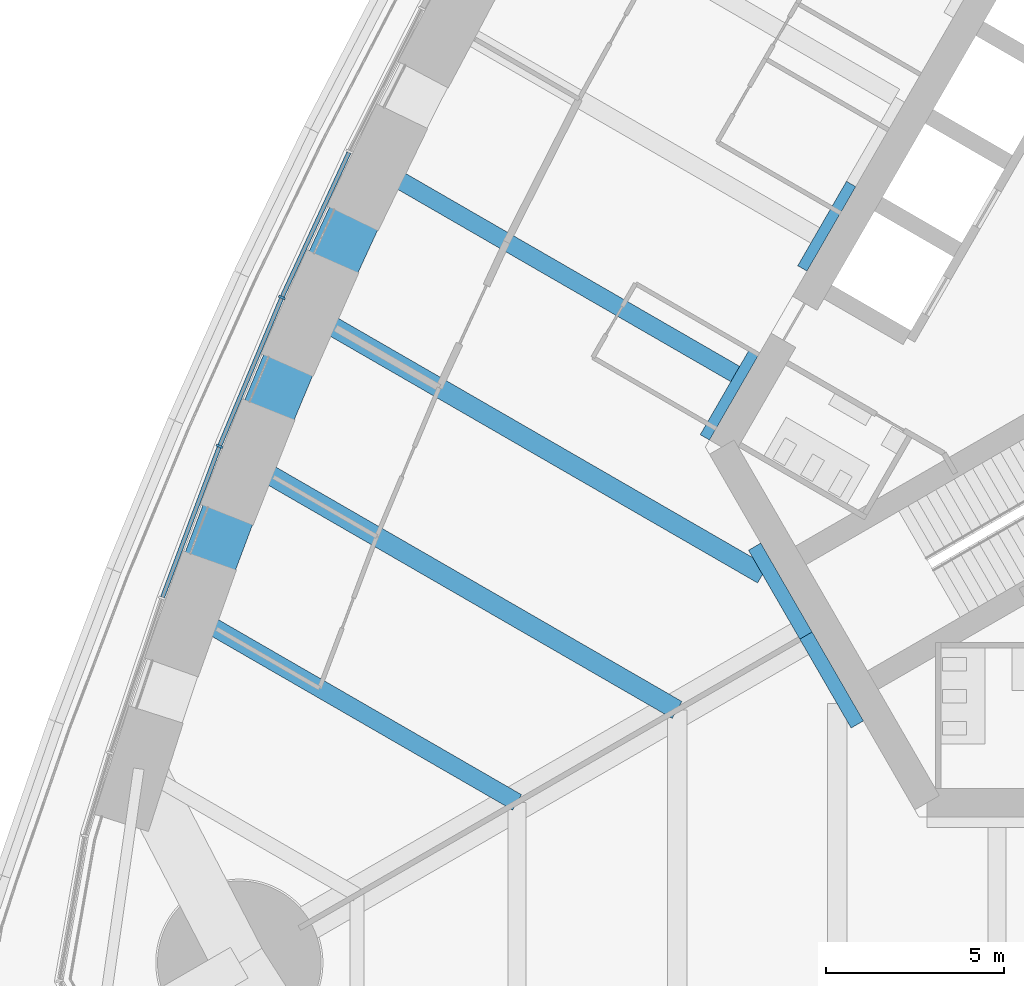
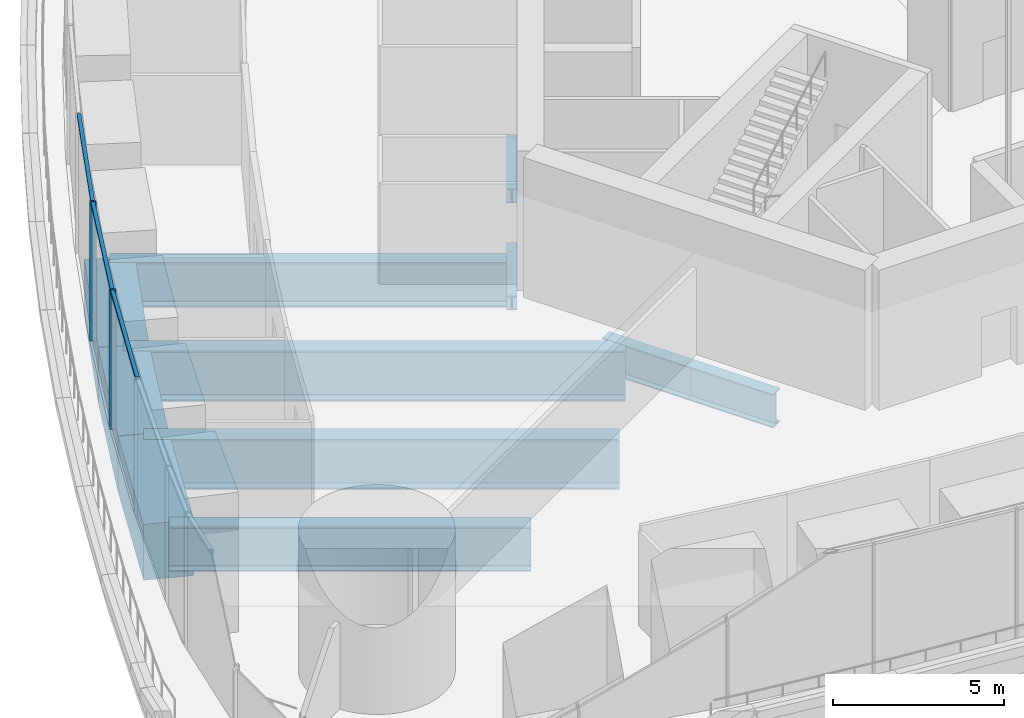
# One storey, part 3 of 33: 11 beams, 5 members, 1 element without a shape of its own.
"""IFC4 building model written with IfcOpenShell, lengths in metres."""

from ifc_helpers import new_model, si_unit, direction, frame, origin, origin_2d, place, context, subcontext, project, spatial, rectangle, i_section, extrude, material, material_profile, profile_set, type_object, element, aggregate, save


model = new_model("IFC4")

# Units and contexts
model_context = context("Model", 3, precision=1e-05, world=origin(), true_north=direction((0.0, 1.0)))
body_context = subcontext(model_context, "Body", "Model", "MODEL_VIEW")
ifc_project = project(units=[si_unit("LENGTHUNIT", "METRE"), si_unit("AREAUNIT", "SQUARE_METRE"), si_unit("VOLUMEUNIT", "CUBIC_METRE"), si_unit("PLANEANGLEUNIT", "RADIAN"), si_unit("MASSUNIT", "GRAM", prefix="KILO")], contexts=[model_context])

# Site, building, storey
site_placement = place(None, origin())
site = spatial("IfcSite", under=ifc_project, at=site_placement, CompositionType="ELEMENT")
building_placement = place(site_placement, origin())
building = spatial("IfcBuilding", under=site, at=building_placement, Name="Trefoil Bronze Tower", CompositionType="ELEMENT")
storey_placement = place(building_placement, frame((0.0, 0.0, 98.10009765625)))
storey = spatial("IfcBuildingStorey", under=building, at=storey_placement, Name="L22", CompositionType="ELEMENT", Elevation=98.10009765625)

# Curtain wall, members
ifc_material_1 = material(Name="Tinted solar-control glass", Category="glass")
curtain_wall_type = type_object("IfcCurtainWallType", Name="Bronze sky lobby curtain wall", PredefinedType="USERDEFINED", material=ifc_material_1)
curtain_wall_placement = place(storey_placement, origin())
curtain_wall = element("IfcCurtainWall", 1, at=curtain_wall_placement, inside=storey, type_object=curtain_wall_type, Name="CW-D L22 F3 run 3", ObjectType="CURTAIN WALL", PredefinedType="USERDEFINED")
ifc_material_2 = material(Name="Bronze-finish aluminium", Category="aluminium")
ifc_material_profile_1 = material_profile(ifc_material_2, rectangle(XDim=0.199951171875, YDim=0.06005859375, at=origin_2d()), Name="CW-D mullion")
ifc_profile_set_1 = profile_set([ifc_material_profile_1], Name="Bronze-finish aluminium")
member_type_1 = type_object("IfcMemberType", Name="Bronze sky lobby curtain wall mullion", PredefinedType="MULLION", material=ifc_profile_set_1)
member_1_placement = place(storey_placement, frame((-29.11376953125, 1.2080078125, 0.0), z_axis=(0.0, 0.0, 1.0), x_axis=(0.915018269914, -0.40341240155, 0.0)))
member_1 = element("IfcMember", 2, at=member_1_placement, type_object=member_type_1, Name="CW-D L22 F3 run 3 mullion 3", PredefinedType="MULLION", context=body_context, shape_type="SweptSolid", body=[
    extrude(rectangle(XDim=0.199951171875, YDim=0.06005859375, at=origin_2d()), origin(), (0.0, 0.0, 1.0), 4.97998046875),
])
member_2_placement = place(storey_placement, frame((-30.86962890625, -2.978759765625, 0.0), z_axis=(0.0, 0.0, 1.0), x_axis=(0.929071242848, -0.369900832269, 0.0)))
member_2 = element("IfcMember", 3, at=member_2_placement, type_object=member_type_1, Name="CW-D L22 F3 run 3 mullion 4", PredefinedType="MULLION", context=body_context, shape_type="SweptSolid", body=[
    extrude(rectangle(XDim=0.199951171875, YDim=0.06005859375, at=origin_2d()), origin(), (0.0, 0.0, 1.0), 4.97998046875),
])
ifc_material_3 = material(Name="Bronze-finish aluminium", Category="aluminium")
ifc_material_profile_2 = material_profile(ifc_material_3, rectangle(XDim=0.1201171875, YDim=0.10009765625, at=origin_2d()), Name="CW-D transom")
ifc_profile_set_2 = profile_set([ifc_material_profile_2], Name="Bronze-finish aluminium")
member_type_2 = type_object("IfcMemberType", Name="Bronze sky lobby curtain wall transom", PredefinedType="USERDEFINED", material=ifc_profile_set_2)
member_3_placement = place(storey_placement, frame((-27.228271484375, 5.282958984375, 4.929931640625), z_axis=(-0.419912273595, -0.907564698787, 0.0), x_axis=(0.907564698787, -0.419912273595, 0.0)))
member_3 = element("IfcMember", 4, at=member_3_placement, type_object=member_type_2, Name="CW-D L22 F3 run 3 transom 2", ObjectType="TRANSOM", PredefinedType="USERDEFINED", context=body_context, shape_type="SweptSolid", body=[
    extrude(rectangle(XDim=0.1201171875, YDim=0.10009765625, at=origin_2d()), origin(), (0.0, 0.0, 1.0), 4.458251953125),
])
member_4_placement = place(storey_placement, frame((-29.1259765625, 1.178466796875, 4.929931640625), z_axis=(-0.386817949175, -0.922156100775, 0.0), x_axis=(0.922156100775, -0.386817949175, 0.0)))
member_4 = element("IfcMember", 5, at=member_4_placement, type_object=member_type_2, Name="CW-D L22 F3 run 3 transom 3", ObjectType="TRANSOM", PredefinedType="USERDEFINED", context=body_context, shape_type="SweptSolid", body=[
    extrude(rectangle(XDim=0.1201171875, YDim=0.10009765625, at=origin_2d()), origin(), (0.0, 0.0, 1.0), 4.47607421875),
])
member_5_placement = place(storey_placement, frame((-30.880859375, -3.008544921875, 4.929931640625), z_axis=(-0.35294793935, -0.935642961876, 0.0), x_axis=(0.935642961876, -0.35294793935, 0.0)))
member_5 = element("IfcMember", 6, at=member_5_placement, type_object=member_type_2, Name="CW-D L22 F3 run 3 transom 4", ObjectType="TRANSOM", PredefinedType="USERDEFINED", context=body_context, shape_type="SweptSolid", body=[
    extrude(rectangle(XDim=0.1201171875, YDim=0.10009765625, at=origin_2d()), origin(), (0.0, 0.0, 1.0), 4.500244140625),
])
aggregate(curtain_wall, [member_1, member_2, member_3, member_4, member_5])

# Beams
ifc_material_4 = material(Name="Steel C355", Category="steel")
ifc_material_profile_3 = material_profile(ifc_material_4, i_section(OverallWidth=0.300048828125, OverallDepth=0.5, WebThickness=0.014404296875, FlangeThickness=0.028076171875, FilletRadius=0.027099609375, at=origin_2d()), Name="HEB 500")
ifc_profile_set_3 = profile_set([ifc_material_profile_3], Name="Steel C355")
beam_type_1 = type_object("IfcBeamType", Name="Core seat beam HEB 500", PredefinedType="BEAM", material=ifc_profile_set_3)
for number, where, z_axis, x_axis, name in (
    (7, (-13.10595703125, 4.39990234375, -0.4501953125), (-0.499969057507, -0.866043267704, 0.0), (0.866043267704, -0.499969057507, 0.0), "Core seat beam F3/+1 L22"),
    (8, (-15.84814453125, -0.35009765625, -0.4501953125), (-0.500035825175, -0.866004719122, 0.0), (0.866004719122, -0.500035825175, 0.0), "Core seat beam F3/+2 L22"),
):
    element("IfcBeam", number, at=place(storey_placement, frame(where, z_axis=z_axis, x_axis=x_axis)), inside=storey, type_object=beam_type_1, Name=name, PredefinedType="BEAM", context=body_context, shape_type="SweptSolid", body=[
        extrude(i_section(OverallWidth=0.300048828125, OverallDepth=0.5, WebThickness=0.014404296875, FlangeThickness=0.028076171875, FilletRadius=0.027099609375, at=origin_2d()), origin(), (0.0, 0.0, 1.0), 2.742431640625),
    ])
ifc_material_5 = material(Name="Steel C355", Category="steel")
ifc_material_profile_4 = material_profile(ifc_material_5, i_section(OverallWidth=0.39990234375, OverallDepth=1.199951171875, WebThickness=0.02001953125, FlangeThickness=0.0400390625, FilletRadius=0.010009765625, at=origin_2d()), Name="WPG 1200")
ifc_profile_set_4 = profile_set([ifc_material_profile_4], Name="Steel C355")
beam_type_2 = type_object("IfcBeamType", Name="Core seat beam WPG 1200", PredefinedType="BEAM", material=ifc_profile_set_4)
for number, where, z_axis, x_axis, name in (
    (9, (-14.3759765625, -8.300048828125, -0.800048828125), (0.499995765644, -0.866027848477, 0.0), (0.866027848477, 0.499995765644, 0.0), "Core seat beam F1/-3 L22"),
    (10, (-15.8193359375, -5.800048828125, -0.800048828125), (0.499995765644, -0.866027848477, 0.0), (0.866027848477, 0.499995765644, 0.0), "Core seat beam F3/+3 L22"),
):
    element("IfcBeam", number, at=place(storey_placement, frame(where, z_axis=z_axis, x_axis=x_axis)), inside=storey, type_object=beam_type_2, Name=name, PredefinedType="BEAM", context=body_context, shape_type="SweptSolid", body=[
        extrude(i_section(OverallWidth=0.39990234375, OverallDepth=1.199951171875, WebThickness=0.02001953125, FlangeThickness=0.0400390625, FilletRadius=0.010009765625, at=origin_2d()), origin(), (0.0, 0.0, 1.0), 2.88671875),
    ])
ifc_material_6 = material(Name="Steel C355", Category="steel")
ifc_material_profile_5 = material_profile(ifc_material_6, i_section(OverallWidth=0.5, OverallDepth=1.60009765625, WebThickness=0.02587890625, FlangeThickness=0.050048828125, FilletRadius=0.011962890625, at=origin_2d()), Name="WPG 1600")
ifc_profile_set_5 = profile_set([ifc_material_profile_5], Name="Steel C355")
beam_type_3 = type_object("IfcBeamType", Name="Floor beam WPG 1600", PredefinedType="BEAM", material=ifc_profile_set_5)
beam_1_placement = place(storey_placement, frame((-26.43017578125, 4.8671875, -1.0), z_axis=(0.866021531335, -0.500006707218, 0.0), x_axis=(0.500006707218, 0.866021531335, 0.0)))
element("IfcBeam", 11, at=beam_1_placement, inside=storey, type_object=beam_type_3, Name="Floor beam F3/+2 L22", PredefinedType="BEAM", context=body_context, shape_type="SweptSolid", body=[
    extrude(i_section(OverallWidth=0.5, OverallDepth=1.60009765625, WebThickness=0.02587890625, FlangeThickness=0.050048828125, FilletRadius=0.011962890625, at=origin_2d()), origin(), (0.0, 0.0, 1.0), 11.622802734375),
])
beam_2_placement = place(storey_placement, frame((-31.681884765625, -7.689208984375, -1.0), z_axis=(0.866021079084, -0.500007490527, 0.0), x_axis=(0.500007490527, 0.866021079084, 0.0)))
element("IfcBeam", 12, at=beam_2_placement, inside=storey, type_object=beam_type_3, Name="Floor beam F3/+5 L22", PredefinedType="BEAM", context=body_context, shape_type="SweptSolid", body=[
    extrude(i_section(OverallWidth=0.5, OverallDepth=1.60009765625, WebThickness=0.02587890625, FlangeThickness=0.050048828125, FilletRadius=0.011962890625, at=origin_2d()), origin(), (0.0, 0.0, 1.0), 10.602294921875),
])
ifc_material_7 = material(Name="Steel C355", Category="steel")
ifc_material_profile_6 = material_profile(ifc_material_7, i_section(OverallWidth=0.550048828125, OverallDepth=1.800048828125, WebThickness=0.029052734375, FlangeThickness=0.054931640625, FilletRadius=0.013916015625, at=origin_2d()), Name="WPG 1800")
ifc_profile_set_6 = profile_set([ifc_material_profile_6], Name="Steel C355")
beam_type_4 = type_object("IfcBeamType", Name="Floor beam WPG 1800", PredefinedType="BEAM", material=ifc_profile_set_6)
beam_3_placement = place(storey_placement, frame((-28.325439453125, 0.76513671875, -1.10009765625), z_axis=(0.866027342682, -0.499996641717, 0.0), x_axis=(0.499996641717, 0.866027342682, 0.0)))
element("IfcBeam", 13, at=beam_3_placement, inside=storey, type_object=beam_type_4, Name="Floor beam F3/+3 L22", PredefinedType="BEAM", context=body_context, shape_type="SweptSolid", body=[
    extrude(i_section(OverallWidth=0.550048828125, OverallDepth=1.800048828125, WebThickness=0.029052734375, FlangeThickness=0.054931640625, FilletRadius=0.013916015625, at=origin_2d()), origin(), (0.0, 0.0, 1.0), 14.69580078125),
])
beam_4_placement = place(storey_placement, frame((-30.07666015625, -3.419921875, -1.10009765625), z_axis=(0.866026983775, -0.499997263366, 0.0), x_axis=(0.499997263366, 0.866026983775, 0.0)))
element("IfcBeam", 14, at=beam_4_placement, inside=storey, type_object=beam_type_4, Name="Floor beam F3/+4 L22", PredefinedType="BEAM", context=body_context, shape_type="SweptSolid", body=[
    extrude(i_section(OverallWidth=0.550048828125, OverallDepth=1.800048828125, WebThickness=0.029052734375, FlangeThickness=0.054931640625, FilletRadius=0.013916015625, at=origin_2d()), origin(), (0.0, 0.0, 1.0), 13.94482421875),
])
ifc_material_8 = material(Name="Concrete B80", Category="concrete")
ifc_material_profile_7 = material_profile(ifc_material_8, rectangle(XDim=1.5, YDim=2.0, at=origin_2d()), Name="RC 1500x2000")
ifc_profile_set_7 = profile_set([ifc_material_profile_7], Name="Concrete B80")
beam_type_5 = type_object("IfcBeamType", Name="Spandrel beam RC 1500x2000", PredefinedType="SPANDREL", material=ifc_profile_set_7)
beam_5_placement = place(storey_placement, frame((-26.43017578125, 4.8671875, -1.2001953125), z_axis=(-0.419424747755, -0.907790108434, 0.0), x_axis=(0.907790108434, -0.419424747755, 0.0)))
element("IfcBeam", 15, at=beam_5_placement, inside=storey, type_object=beam_type_5, Name="Spandrel F3.10 L22", PredefinedType="SPANDREL", context=body_context, shape_type="SweptSolid", body=[
    extrude(rectangle(XDim=1.5, YDim=2.0, at=origin_2d()), origin(), (0.0, 0.0, 1.0), 4.518798828125),
])
beam_6_placement = place(storey_placement, frame((-28.325439453125, 0.76513671875, -1.2001953125), z_axis=(-0.386013490858, -0.922493135408, 0.0), x_axis=(0.922493135408, -0.386013490858, 0.0)))
element("IfcBeam", 16, at=beam_6_placement, inside=storey, type_object=beam_type_5, Name="Spandrel F3.11 L22", PredefinedType="SPANDREL", context=body_context, shape_type="SweptSolid", body=[
    extrude(rectangle(XDim=1.5, YDim=2.0, at=origin_2d()), origin(), (0.0, 0.0, 1.0), 4.53662109375),
])
beam_7_placement = place(storey_placement, frame((-30.07666015625, -3.419921875, -1.2001953125), z_axis=(-0.351938675523, -0.936023059904, 0.0), x_axis=(0.936023059904, -0.351938675523, 0.0)))
element("IfcBeam", 17, at=beam_7_placement, inside=storey, type_object=beam_type_5, Name="Spandrel F3.12 L22", PredefinedType="SPANDREL", context=body_context, shape_type="SweptSolid", body=[
    extrude(rectangle(XDim=1.5, YDim=2.0, at=origin_2d()), origin(), (0.0, 0.0, 1.0), 4.56103515625),
])

save(model, "model.ifc")
